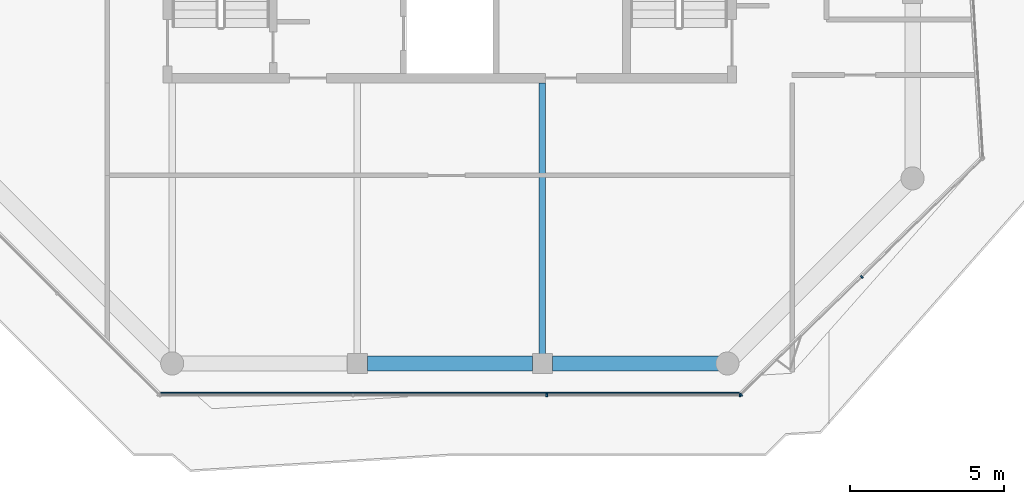
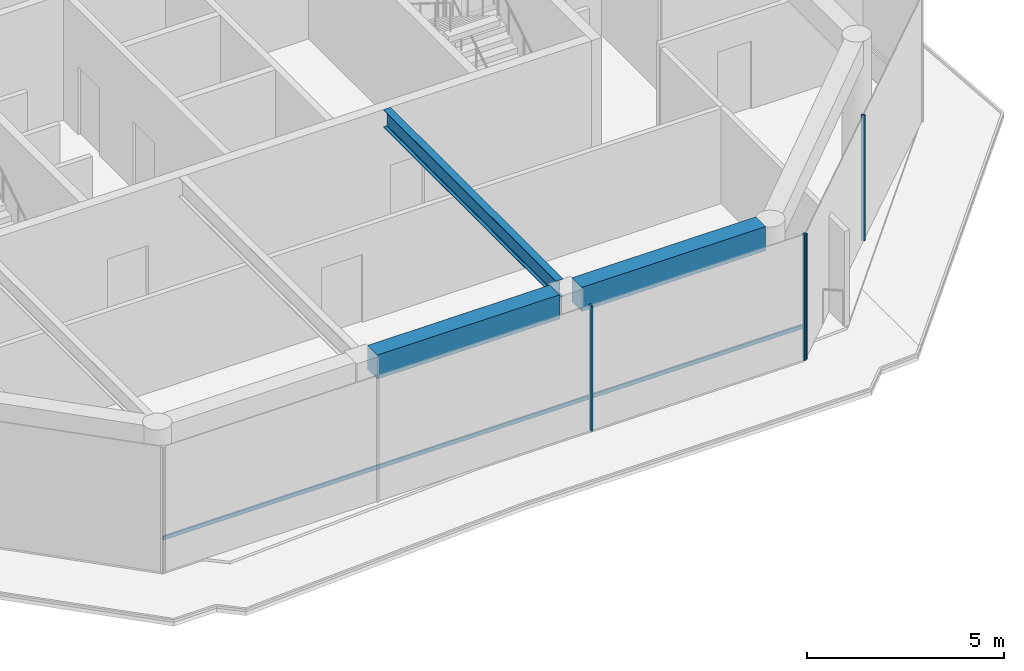
# One storey, part 3 of 22: 5 members, 3 beams, 2 elements without a shape of their own.
"""IFC4 building model written with IfcOpenShell, lengths in metres."""

from ifc_helpers import new_model, si_unit, direction, frame, origin, origin_2d, place, context, subcontext, project, spatial, rectangle, i_section, extrude, material, layer, layer_set, material_profile, profile_set, type_object, element, aggregate, save


model = new_model("IFC4")

# Units and contexts
model_context = context("Model", 3, precision=1e-05, world=origin(), true_north=direction((0.0, 1.0)))
body_context = subcontext(model_context, "Body", "Model", "MODEL_VIEW")
ifc_project = project(units=[si_unit("LENGTHUNIT", "METRE"), si_unit("AREAUNIT", "SQUARE_METRE"), si_unit("VOLUMEUNIT", "CUBIC_METRE"), si_unit("PLANEANGLEUNIT", "RADIAN"), si_unit("MASSUNIT", "GRAM", prefix="KILO")], contexts=[model_context])

# Site, building, storey
site_placement = place(None, origin())
site = spatial("IfcSite", under=ifc_project, at=site_placement, CompositionType="ELEMENT")
building_placement = place(site_placement, origin())
building = spatial("IfcBuilding", under=site, at=building_placement, Name="Welwitschia Terrace Campus", CompositionType="ELEMENT")
storey_placement = place(building_placement, frame((0.0, 0.0, 318.800048828125)))
storey = spatial("IfcBuildingStorey", under=building, at=storey_placement, Name="L71", CompositionType="ELEMENT", Elevation=318.800048828125)

# Beam
ifc_material_1 = material(Name="Steel S355", Category="steel")
ifc_material_profile_1 = material_profile(ifc_material_1, i_section(OverallWidth=0.2099609375, OverallDepth=0.550048828125, WebThickness=0.010986328125, FlangeThickness=0.01708984375, FilletRadius=0.02392578125, at=origin_2d()))
ifc_profile_set_1 = profile_set([ifc_material_profile_1], Name="Steel S355")
beam_type_1 = type_object("IfcBeamType", Name="Interior girder IPE 550", PredefinedType="BEAM", material=ifc_profile_set_1)
beam_1_placement = place(storey_placement, frame((18.0, -3.6845703125, 3.625), z_axis=(0.0, 1.0, 0.0), x_axis=(-1.0, 0.0, 0.0)))
element("IfcBeam", 1, at=beam_1_placement, inside=storey, type_object=beam_type_1, Name="Girder GB7", PredefinedType="BEAM", context=body_context, shape_type="SweptSolid", body=[
    extrude(i_section(OverallWidth=0.2099609375, OverallDepth=0.550048828125, WebThickness=0.010986328125, FlangeThickness=0.01708984375, FilletRadius=0.02392578125, at=origin_2d()), origin(), (0.0, 0.0, 1.0), 8.78369140625),
])

# Curtain wall, members
ifc_material_2 = material(Name="Bronze anodised aluminium", Category="aluminium")
ifc_layer = layer(ifc_material_2, 0.10009765625)
ifc_layer_set = layer_set([ifc_layer], Name="Bronze anodised aluminium")
curtain_wall_type = type_object("IfcCurtainWallType", Name="Curtain wall CW5 crown 6000", PredefinedType="NOTDEFINED", material=ifc_layer_set)
curtain_wall_1_placement = place(storey_placement, origin())
curtain_wall_1 = element("IfcCurtainWall", 2, at=curtain_wall_1_placement, inside=storey, type_object=curtain_wall_type, Name="CW L71.1.0", PredefinedType="NOTDEFINED")
ifc_material_3 = material(Name="Bronze anodised aluminium", Category="aluminium")
ifc_material_profile_2 = material_profile(ifc_material_3, rectangle(XDim=0.10009765625, YDim=0.050048828125, at=origin_2d()))
ifc_profile_set_2 = profile_set([ifc_material_profile_2], Name="Bronze anodised aluminium")
member_type_1 = type_object("IfcMemberType", Name="Mullion 50x100", PredefinedType="MULLION", material=ifc_profile_set_2)
member_1_placement = place(storey_placement, frame((18.142333984375, -5.030029296875, 0.0), z_axis=(0.0, 0.0, 1.0), x_axis=(0.0, 1.0, 0.0)))
member_1 = element("IfcMember", 3, at=member_1_placement, type_object=member_type_1, Name="Mullion L71.1.0.2", PredefinedType="MULLION", context=body_context, shape_type="SweptSolid", body=[
    extrude(rectangle(XDim=0.10009765625, YDim=0.050048828125, at=origin_2d()), origin(), (0.0, 0.0, 1.0), 3.89990234375),
])
member_2_placement = place(storey_placement, frame((24.401611328125, -5.030029296875, 0.0), z_axis=(0.0, 0.0, 1.0), x_axis=(0.0, 1.0, 0.0)))
member_2 = element("IfcMember", 4, at=member_2_placement, type_object=member_type_1, Name="Mullion L71.1.0.3", PredefinedType="MULLION", context=body_context, shape_type="SweptSolid", body=[
    extrude(rectangle(XDim=0.10009765625, YDim=0.050048828125, at=origin_2d()), origin(), (0.0, 0.0, 1.0), 3.89990234375),
])

curtain_wall_2_placement = place(storey_placement, origin())
curtain_wall_2 = element("IfcCurtainWall", 5, at=curtain_wall_2_placement, inside=storey, type_object=curtain_wall_type, Name="CW L71.2.0", PredefinedType="NOTDEFINED")
member_3_placement = place(storey_placement, frame((24.444580078125, -5.012451171875, 0.0), z_axis=(0.0, 0.0, 1.0), x_axis=(-0.698941482617, 0.715178861458, 0.0)))
member_3 = element("IfcMember", 6, at=member_3_placement, type_object=member_type_1, Name="Mullion L71.2.0.0", PredefinedType="MULLION", context=body_context, shape_type="SweptSolid", body=[
    extrude(rectangle(XDim=0.10009765625, YDim=0.050048828125, at=origin_2d()), origin(), (0.0, 0.0, 1.0), 3.89990234375),
])
member_4_placement = place(storey_placement, frame((28.35498046875, -1.190673828125, 0.0), z_axis=(0.0, 0.0, 1.0), x_axis=(-0.698941482617, 0.715178861458, 0.0)))
member_4 = element("IfcMember", 7, at=member_4_placement, type_object=member_type_1, Name="Mullion L71.2.0.1", PredefinedType="MULLION", context=body_context, shape_type="SweptSolid", body=[
    extrude(rectangle(XDim=0.10009765625, YDim=0.050048828125, at=origin_2d()), origin(), (0.0, 0.0, 1.0), 3.89990234375),
])
aggregate(curtain_wall_2, [member_3, member_4])

# Beams
ifc_material_4 = material(Name="Concrete C40/50", Category="concrete")
ifc_material_profile_3 = material_profile(ifc_material_4, rectangle(XDim=0.5, YDim=0.75, at=origin_2d()))
ifc_profile_set_3 = profile_set([ifc_material_profile_3], Name="Concrete C40/50")
beam_type_2 = type_object("IfcBeamType", Name="Ring spandrel 500x750", PredefinedType="SPANDREL", material=ifc_profile_set_3)
beam_2_placement = place(storey_placement, frame((12.325439453125, -4.0, 3.52490234375), z_axis=(1.0, 0.0, 0.0), x_axis=(0.0, 1.0, 0.0)))
element("IfcBeam", 8, at=beam_2_placement, inside=storey, type_object=beam_type_2, Name="Spandrel SP5", PredefinedType="SPANDREL", context=body_context, shape_type="SweptSolid", body=[
    extrude(rectangle(XDim=0.5, YDim=0.75, at=origin_2d()), origin(), (0.0, 0.0, 1.0), 5.34912109375),
])
beam_3_placement = place(storey_placement, frame((18.325439453125, -4.0, 3.52490234375), z_axis=(1.0, 0.0, 0.0), x_axis=(0.0, 1.0, 0.0)))
element("IfcBeam", 9, at=beam_3_placement, inside=storey, type_object=beam_type_2, Name="Spandrel SP5", PredefinedType="SPANDREL", context=body_context, shape_type="SweptSolid", body=[
    extrude(rectangle(XDim=0.5, YDim=0.75, at=origin_2d()), origin(), (0.0, 0.0, 1.0), 5.39404296875),
])

# Member
ifc_material_5 = material(Name="Bronze anodised aluminium", Category="aluminium")
ifc_material_profile_4 = material_profile(ifc_material_5, rectangle(XDim=0.050048828125, YDim=0.1201171875, at=origin_2d()))
ifc_profile_set_4 = profile_set([ifc_material_profile_4], Name="Bronze anodised aluminium")
member_type_2 = type_object("IfcMemberType", Name="Transom 50x120", PredefinedType="USERDEFINED", material=ifc_profile_set_4)
member_5_placement = place(storey_placement, frame((5.623291015625, -4.955078125, 1.0), z_axis=(1.0, 0.0, 0.0), x_axis=(0.0, 1.0, 0.0)))
member_5 = element("IfcMember", 10, at=member_5_placement, type_object=member_type_2, Name="Transom L71.1.0", ObjectType="TRANSOM", PredefinedType="USERDEFINED", context=body_context, shape_type="SweptSolid", body=[
    extrude(rectangle(XDim=0.050048828125, YDim=0.1201171875, at=origin_2d()), origin(), (0.0, 0.0, 1.0), 18.75341796875),
])

aggregate(curtain_wall_1, [member_1, member_2, member_5])

save(model, "model.ifc")
